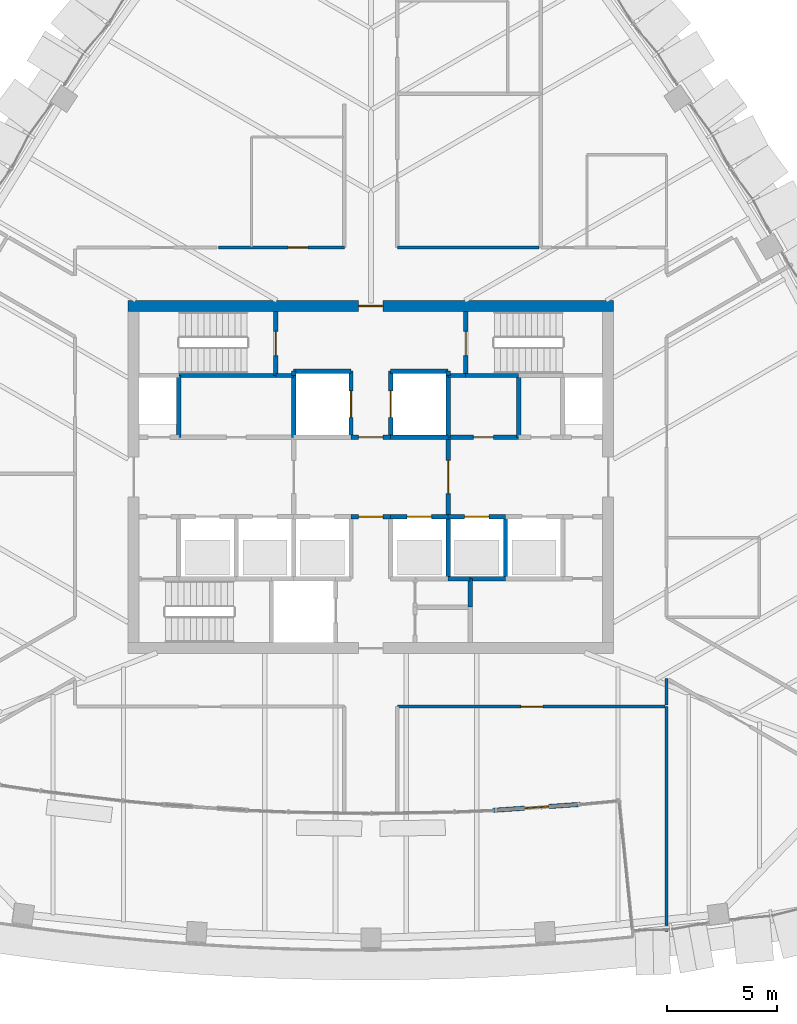
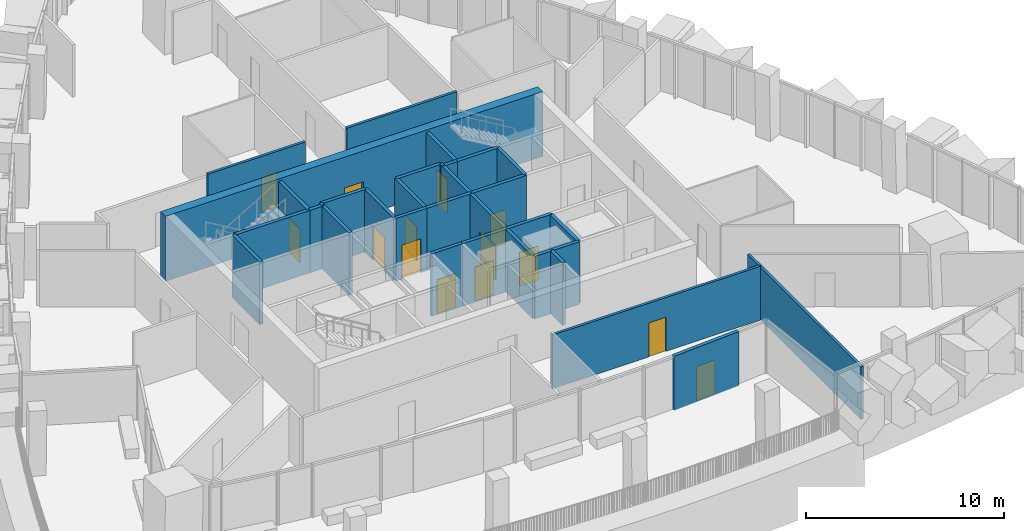
# One storey, part 13 of 22: 35 walls, 14 doors, 14 openings.
"""IFC4 building model written with IfcOpenShell, lengths in metres."""

from ifc_helpers import new_model, si_unit, direction, frame, frame_2d, origin, place, context, subcontext, project, spatial, rectangle, extrude, material, layer, layer_set, type_object, element, fill, save


model = new_model("IFC4")

# Units and contexts
model_context = context("Model", 3, precision=1e-05, world=origin(), true_north=direction((0.0, 1.0)))
body_context = subcontext(model_context, "Body", "Model", "MODEL_VIEW")
ifc_project = project(units=[si_unit("LENGTHUNIT", "METRE"), si_unit("AREAUNIT", "SQUARE_METRE"), si_unit("VOLUMEUNIT", "CUBIC_METRE"), si_unit("PLANEANGLEUNIT", "RADIAN"), si_unit("MASSUNIT", "GRAM", prefix="KILO")], contexts=[model_context])

# Site, building, storey
site_placement = place(None, origin())
site = spatial("IfcSite", under=ifc_project, at=site_placement, CompositionType="ELEMENT")
building_placement = place(site_placement, origin())
building = spatial("IfcBuilding", under=site, at=building_placement, Name="Sierra Prisma Convention Tower", CompositionType="ELEMENT")
storey_placement = place(building_placement, frame((0.0, 0.0, 227.0)))
storey = spatial("IfcBuildingStorey", under=building, at=storey_placement, Name="L50", CompositionType="ELEMENT", Elevation=227.0)

# Walls
ifc_material_1 = material(Name="Concrete C30/37", Category="concrete")
ifc_layer_1 = layer(ifc_material_1, 0.199951171875)
ifc_layer_set_1 = layer_set([ifc_layer_1], Name="Core wall RC 200 C30/37")
wall_type_1 = type_object("IfcWallType", Name="Core wall RC 200 C30/37", PredefinedType="SOLIDWALL", material=ifc_layer_set_1)
wall_1_placement = place(storey_placement, frame((-8.699951171875, 4.60009765625, 0.0), z_axis=(0.0, 0.0, 1.0), x_axis=(0.0, -1.0, 0.0)))
element("IfcWall", 1, at=wall_1_placement, inside=storey, type_object=wall_type_1, Name="Core wall L50 9", PredefinedType="SOLIDWALL", context=body_context, shape_type="SweptSolid", body=[
    extrude(rectangle(XDim=2.800048828125, YDim=0.199951171875, at=frame_2d((1.39990234375, 0.0))), origin(), (0.0, 0.0, 1.0), 3.85009765625),
])
wall_2_placement = place(storey_placement, frame((-4.300048828125, 4.60009765625, 0.0), z_axis=(0.0, 0.0, 1.0), x_axis=(-1.0, 0.0, 0.0)))
element("IfcWall", 2, at=wall_2_placement, inside=storey, type_object=wall_type_1, Name="Core wall L50 10", PredefinedType="SOLIDWALL", context=body_context, shape_type="SweptSolid", body=[
    extrude(rectangle(XDim=4.39990234375, YDim=0.199951171875, at=frame_2d((2.199951171875, 0.0))), origin(), (0.0, 0.0, 1.0), 3.85009765625),
])
wall_3_placement = place(storey_placement, frame((-3.5, 4.60009765625, 0.0), z_axis=(0.0, 0.0, 1.0), x_axis=(-1.0, 0.0, 0.0)))
element("IfcWall", 3, at=wall_3_placement, inside=storey, type_object=wall_type_1, Name="Core wall L50 16", PredefinedType="SOLIDWALL", context=body_context, shape_type="SweptSolid", body=[
    extrude(rectangle(XDim=0.800048828125, YDim=0.199951171875, at=frame_2d((0.39990234375, 0.0))), origin(), (0.0, 0.0, 1.0), 3.85009765625),
])

# Wall, opening, door
wall_4_placement = place(storey_placement, frame((-4.300048828125, 4.60009765625, 0.0), z_axis=(0.0, 0.0, 1.0), x_axis=(0.0, 1.0, 0.0)))
wall_4 = element("IfcWall", 4, at=wall_4_placement, inside=storey, type_object=wall_type_1, Name="Core wall L50 17", PredefinedType="SOLIDWALL", context=body_context, shape_type="SweptSolid", body=[
    extrude(rectangle(XDim=2.89990234375, YDim=0.199951171875, at=frame_2d((1.449951171875, 0.0))), origin(), (0.0, 0.0, 1.0), 3.85009765625),
])
opening_1_placement = place(wall_4_placement, frame((0.89990234375, 0.0, 0.0)))
opening_1 = element("IfcOpeningElement", 5, at=opening_1_placement, cuts=wall_4, Name="Opening L50-D020", PredefinedType="OPENING", context=body_context, shape_type="SweptSolid", body=[
    extrude(rectangle(XDim=1.10009765625, YDim=2.10009765625, at=frame_2d((0.550048828125, 1.050048828125))), frame((0.0, 0.10009765625, 0.0), z_axis=(0.0, -1.0, 0.0), x_axis=(1.0, 0.0, 0.0)), (0.0, 0.0, 1.0), 0.199951171875),
])
ifc_material_2 = material(Name="Steel fire door leaf", Category="steel")
door_type_1 = type_object("IfcDoorType", Name="Door 1100x2100 FD90S", OperationType="SINGLE_SWING_LEFT", PredefinedType="DOOR", material=ifc_material_2)
door_1_placement = place(opening_1_placement, origin())
door_1 = element("IfcDoor", 6, at=door_1_placement, inside=storey, type_object=door_type_1, Name="Door L50 32", OperationType="SINGLE_SWING_LEFT", OverallHeight=2.10009765625, OverallWidth=1.10009765625, PredefinedType="DOOR", context=body_context, shape_type="SweptSolid", body=[
    extrude(rectangle(XDim=1.10009765625, YDim=2.10009765625, at=frame_2d((0.550048828125, 1.050048828125))), frame((0.0, 0.02490234375, 0.0), z_axis=(0.0, -1.0, 0.0), x_axis=(1.0, 0.0, 0.0)), (0.0, 0.0, 1.0), 0.050048828125),
])
fill(opening_1, door_1)

# Wall
wall_5_placement = place(storey_placement, frame((-3.5, 1.800048828125, 0.0), z_axis=(0.0, 0.0, 1.0), x_axis=(0.0, 1.0, 0.0)))
element("IfcWall", 7, at=wall_5_placement, inside=storey, type_object=wall_type_1, Name="Core wall L50 23", PredefinedType="SOLIDWALL", context=body_context, shape_type="SweptSolid", body=[
    extrude(rectangle(XDim=2.800048828125, YDim=0.199951171875, at=frame_2d((1.39990234375, 0.0))), origin(), (0.0, 0.0, 1.0), 3.85009765625),
])

# Wall, opening, door
wall_6_placement = place(storey_placement, frame((-0.89990234375, 1.800048828125, 0.0), z_axis=(0.0, 0.0, 1.0), x_axis=(0.0, 1.0, 0.0)))
wall_6 = element("IfcWall", 8, at=wall_6_placement, inside=storey, type_object=wall_type_1, Name="Core wall L50 24", PredefinedType="SOLIDWALL", context=body_context, shape_type="SweptSolid", body=[
    extrude(rectangle(XDim=3.0, YDim=0.199951171875, at=frame_2d((1.5, 0.0))), origin(), (0.0, 0.0, 1.0), 3.85009765625),
])
opening_2_placement = place(wall_6_placement, frame((0.89990234375, 0.0, 0.0)))
opening_2 = element("IfcOpeningElement", 9, at=opening_2_placement, cuts=wall_6, Name="Opening L50-D009", PredefinedType="OPENING", context=body_context, shape_type="SweptSolid", body=[
    extrude(rectangle(XDim=1.199951171875, YDim=2.10009765625, at=frame_2d((0.60009765625, 1.050048828125))), frame((0.0, 0.10009765625, 0.0), z_axis=(0.0, -1.0, 0.0), x_axis=(1.0, 0.0, 0.0)), (0.0, 0.0, 1.0), 0.199951171875),
])
ifc_material_3 = material(Name="Steel fire door leaf", Category="steel")
door_type_2 = type_object("IfcDoorType", Name="Door 1200x2100 EI 90 sliding lift landing", OperationType="SLIDING_TO_LEFT", PredefinedType="DOOR", material=ifc_material_3)
door_2_placement = place(opening_2_placement, origin())
door_2 = element("IfcDoor", 10, at=door_2_placement, inside=storey, type_object=door_type_2, Name="Door L50 21", OperationType="SLIDING_TO_LEFT", OverallHeight=2.10009765625, OverallWidth=1.199951171875, PredefinedType="DOOR", context=body_context, shape_type="SweptSolid", body=[
    extrude(rectangle(XDim=1.199951171875, YDim=2.10009765625, at=frame_2d((0.60009765625, 1.050048828125))), frame((0.0, 0.02490234375, 0.0), z_axis=(0.0, -1.0, 0.0), x_axis=(1.0, 0.0, 0.0)), (0.0, 0.0, 1.0), 0.050048828125),
])
fill(opening_2, door_2)

# Walls
wall_7_placement = place(storey_placement, frame((-0.89990234375, 4.800048828125, 0.0), z_axis=(0.0, 0.0, 1.0), x_axis=(-1.0, 0.0, 0.0)))
element("IfcWall", 11, at=wall_7_placement, inside=storey, type_object=wall_type_1, Name="Core wall L50 25", PredefinedType="SOLIDWALL", context=body_context, shape_type="SweptSolid", body=[
    extrude(rectangle(XDim=2.60009765625, YDim=0.199951171875, at=frame_2d((1.300048828125, 0.0))), origin(), (0.0, 0.0, 1.0), 3.85009765625),
])
wall_8_placement = place(storey_placement, frame((-3.5, 4.800048828125, 0.0), z_axis=(0.0, 0.0, 1.0), x_axis=(0.0, -1.0, 0.0)))
element("IfcWall", 12, at=wall_8_placement, inside=storey, type_object=wall_type_1, Name="Core wall L50 26", PredefinedType="SOLIDWALL", context=body_context, shape_type="SweptSolid", body=[
    extrude(rectangle(XDim=0.199951171875, YDim=0.199951171875, at=frame_2d((0.10009765625, 0.0))), origin(), (0.0, 0.0, 1.0), 3.85009765625),
])

# Wall, opening, door
wall_9_placement = place(storey_placement, frame((-0.89990234375, -1.800048828125, 0.0), z_axis=(0.0, 0.0, 1.0), x_axis=(1.0, 0.0, 0.0)))
wall_9 = element("IfcWall", 13, at=wall_9_placement, inside=storey, type_object=wall_type_1, Name="Core wall L50 30", PredefinedType="SOLIDWALL", context=body_context, shape_type="SweptSolid", body=[
    extrude(rectangle(XDim=1.7998046875, YDim=0.199951171875, at=frame_2d((0.89990234375, 0.0))), origin(), (0.0, 0.0, 1.0), 3.85009765625),
])
opening_3_placement = place(wall_9_placement, frame((0.35009765625, 0.0, 0.0)))
opening_3 = element("IfcOpeningElement", 14, at=opening_3_placement, cuts=wall_9, Name="Opening L50-D016", PredefinedType="OPENING", context=body_context, shape_type="SweptSolid", body=[
    extrude(rectangle(XDim=1.10009765625, YDim=2.10009765625, at=frame_2d((0.550048828125, 1.050048828125))), frame((0.0, 0.10009765625, 0.0), z_axis=(0.0, -1.0, 0.0), x_axis=(1.0, 0.0, 0.0)), (0.0, 0.0, 1.0), 0.199951171875),
])
ifc_material_4 = material(Name="Steel fire door leaf", Category="steel")
door_type_3 = type_object("IfcDoorType", Name="Door 1100x2100 FD30S", OperationType="SINGLE_SWING_LEFT", PredefinedType="DOOR", material=ifc_material_4)
door_3_placement = place(opening_3_placement, origin())
door_3 = element("IfcDoor", 15, at=door_3_placement, inside=storey, type_object=door_type_3, Name="Door L50 28", OperationType="SINGLE_SWING_RIGHT", OverallHeight=2.10009765625, OverallWidth=1.10009765625, PredefinedType="DOOR", context=body_context, shape_type="SweptSolid", body=[
    extrude(rectangle(XDim=1.10009765625, YDim=2.10009765625, at=frame_2d((0.550048828125, 1.050048828125))), frame((0.0, 0.02490234375, 0.0), z_axis=(0.0, -1.0, 0.0), x_axis=(1.0, 0.0, 0.0)), (0.0, 0.0, 1.0), 0.050048828125),
])
fill(opening_3, door_3)

wall_10_placement = place(storey_placement, frame((0.89990234375, 1.800048828125, 0.0), z_axis=(0.0, 0.0, 1.0), x_axis=(-1.0, 0.0, 0.0)))
wall_10 = element("IfcWall", 16, at=wall_10_placement, inside=storey, type_object=wall_type_1, Name="Core wall L50 31", PredefinedType="SOLIDWALL", context=body_context, shape_type="SweptSolid", body=[
    extrude(rectangle(XDim=1.7998046875, YDim=0.199951171875, at=frame_2d((0.89990234375, 0.0))), origin(), (0.0, 0.0, 1.0), 3.85009765625),
])
opening_4_placement = place(wall_10_placement, frame((0.35009765625, 0.0, 0.0)))
opening_4 = element("IfcOpeningElement", 17, at=opening_4_placement, cuts=wall_10, Name="Opening L50-D015", PredefinedType="OPENING", context=body_context, shape_type="SweptSolid", body=[
    extrude(rectangle(XDim=1.10009765625, YDim=2.10009765625, at=frame_2d((0.550048828125, 1.050048828125))), frame((0.0, 0.10009765625, 0.0), z_axis=(0.0, -1.0, 0.0), x_axis=(1.0, 0.0, 0.0)), (0.0, 0.0, 1.0), 0.199951171875),
])
ifc_material_5 = material(Name="Steel fire door leaf", Category="steel")
door_type_4 = type_object("IfcDoorType", Name="Door 1100x2100 FD60S", OperationType="SINGLE_SWING_LEFT", PredefinedType="DOOR", material=ifc_material_5)
door_4_placement = place(opening_4_placement, origin())
door_4 = element("IfcDoor", 18, at=door_4_placement, inside=storey, type_object=door_type_4, Name="Door L50 27", OperationType="SINGLE_SWING_RIGHT", OverallHeight=2.10009765625, OverallWidth=1.10009765625, PredefinedType="DOOR", context=body_context, shape_type="SweptSolid", body=[
    extrude(rectangle(XDim=1.10009765625, YDim=2.10009765625, at=frame_2d((0.550048828125, 1.050048828125))), frame((0.0, 0.02490234375, 0.0), z_axis=(0.0, -1.0, 0.0), x_axis=(1.0, 0.0, 0.0)), (0.0, 0.0, 1.0), 0.050048828125),
])
fill(opening_4, door_4)

wall_11_placement = place(storey_placement, frame((0.89990234375, -1.800048828125, 0.0), z_axis=(0.0, 0.0, 1.0), x_axis=(1.0, 0.0, 0.0)))
wall_11 = element("IfcWall", 19, at=wall_11_placement, inside=storey, type_object=wall_type_1, Name="Core wall L50 32", PredefinedType="SOLIDWALL", context=body_context, shape_type="SweptSolid", body=[
    extrude(rectangle(XDim=2.60009765625, YDim=0.199951171875, at=frame_2d((1.300048828125, 0.0))), origin(), (0.0, 0.0, 1.0), 3.85009765625),
])
opening_5_placement = place(wall_11_placement, frame((0.75, 0.0, 0.0)))
opening_5 = element("IfcOpeningElement", 20, at=opening_5_placement, cuts=wall_11, Name="Opening L50-D006", PredefinedType="OPENING", context=body_context, shape_type="SweptSolid", body=[
    extrude(rectangle(XDim=1.10009765625, YDim=2.10009765625, at=frame_2d((0.550048828125, 1.050048828125))), frame((0.0, 0.10009765625, 0.0), z_axis=(0.0, -1.0, 0.0), x_axis=(1.0, 0.0, 0.0)), (0.0, 0.0, 1.0), 0.199951171875),
])
ifc_material_6 = material(Name="Steel fire door leaf", Category="steel")
door_type_5 = type_object("IfcDoorType", Name="Door 1100x2100 EI 90 sliding lift landing", OperationType="SLIDING_TO_LEFT", PredefinedType="DOOR", material=ifc_material_6)
door_5_placement = place(opening_5_placement, origin())
door_5 = element("IfcDoor", 21, at=door_5_placement, inside=storey, type_object=door_type_5, Name="Door L50 18", OperationType="SLIDING_TO_LEFT", OverallHeight=2.10009765625, OverallWidth=1.10009765625, PredefinedType="DOOR", context=body_context, shape_type="SweptSolid", body=[
    extrude(rectangle(XDim=1.10009765625, YDim=2.10009765625, at=frame_2d((0.550048828125, 1.050048828125))), frame((0.0, 0.02490234375, 0.0), z_axis=(0.0, -1.0, 0.0), x_axis=(1.0, 0.0, 0.0)), (0.0, 0.0, 1.0), 0.050048828125),
])
fill(opening_5, door_5)

# Walls
wall_12_placement = place(storey_placement, frame((3.5, 1.800048828125, 0.0), z_axis=(0.0, 0.0, 1.0), x_axis=(-1.0, 0.0, 0.0)))
element("IfcWall", 22, at=wall_12_placement, inside=storey, type_object=wall_type_1, Name="Core wall L50 35", PredefinedType="SOLIDWALL", context=body_context, shape_type="SweptSolid", body=[
    extrude(rectangle(XDim=2.60009765625, YDim=0.199951171875, at=frame_2d((1.300048828125, 0.0))), origin(), (0.0, 0.0, 1.0), 3.85009765625),
])
wall_13_placement = place(storey_placement, frame((3.5, 4.60009765625, 0.0), z_axis=(0.0, 0.0, 1.0), x_axis=(0.0, 1.0, 0.0)))
element("IfcWall", 23, at=wall_13_placement, inside=storey, type_object=wall_type_1, Name="Core wall L50 36", PredefinedType="SOLIDWALL", context=body_context, shape_type="SweptSolid", body=[
    extrude(rectangle(XDim=0.199951171875, YDim=0.199951171875, at=frame_2d((0.10009765625, 0.0))), origin(), (0.0, 0.0, 1.0), 3.85009765625),
])
wall_14_placement = place(storey_placement, frame((3.5, 4.800048828125, 0.0), z_axis=(0.0, 0.0, 1.0), x_axis=(-1.0, 0.0, 0.0)))
element("IfcWall", 24, at=wall_14_placement, inside=storey, type_object=wall_type_1, Name="Core wall L50 37", PredefinedType="SOLIDWALL", context=body_context, shape_type="SweptSolid", body=[
    extrude(rectangle(XDim=2.60009765625, YDim=0.199951171875, at=frame_2d((1.300048828125, 0.0))), origin(), (0.0, 0.0, 1.0), 3.85009765625),
])

# Wall, opening, door
wall_15_placement = place(storey_placement, frame((0.89990234375, 4.800048828125, 0.0), z_axis=(0.0, 0.0, 1.0), x_axis=(0.0, -1.0, 0.0)))
wall_15 = element("IfcWall", 25, at=wall_15_placement, inside=storey, type_object=wall_type_1, Name="Core wall L50 38", PredefinedType="SOLIDWALL", context=body_context, shape_type="SweptSolid", body=[
    extrude(rectangle(XDim=3.0, YDim=0.199951171875, at=frame_2d((1.5, 0.0))), origin(), (0.0, 0.0, 1.0), 3.85009765625),
])
opening_6_placement = place(wall_15_placement, frame((0.89990234375, 0.0, 0.0)))
opening_6 = element("IfcOpeningElement", 26, at=opening_6_placement, cuts=wall_15, Name="Opening L50-D010", PredefinedType="OPENING", context=body_context, shape_type="SweptSolid", body=[
    extrude(rectangle(XDim=1.199951171875, YDim=2.10009765625, at=frame_2d((0.60009765625, 1.050048828125))), frame((0.0, 0.10009765625, 0.0), z_axis=(0.0, -1.0, 0.0), x_axis=(1.0, 0.0, 0.0)), (0.0, 0.0, 1.0), 0.199951171875),
])
door_6_placement = place(opening_6_placement, origin())
door_6 = element("IfcDoor", 27, at=door_6_placement, inside=storey, type_object=door_type_2, Name="Door L50 22", OperationType="SLIDING_TO_RIGHT", OverallHeight=2.10009765625, OverallWidth=1.199951171875, PredefinedType="DOOR", context=body_context, shape_type="SweptSolid", body=[
    extrude(rectangle(XDim=1.199951171875, YDim=2.10009765625, at=frame_2d((0.60009765625, 1.050048828125))), frame((0.0, 0.02490234375, 0.0), z_axis=(0.0, -1.0, 0.0), x_axis=(1.0, 0.0, 0.0)), (0.0, 0.0, 1.0), 0.050048828125),
])
fill(opening_6, door_6)

# Walls
wall_16_placement = place(storey_placement, frame((4.5, -4.60009765625, 0.0), z_axis=(0.0, 0.0, 1.0), x_axis=(-1.0, 0.0, 0.0)))
element("IfcWall", 28, at=wall_16_placement, inside=storey, type_object=wall_type_1, Name="Core wall L50 43", PredefinedType="SOLIDWALL", context=body_context, shape_type="SweptSolid", body=[
    extrude(rectangle(XDim=1.0, YDim=0.199951171875, at=frame_2d((0.5, 0.0))), origin(), (0.0, 0.0, 1.0), 3.85009765625),
])
wall_17_placement = place(storey_placement, frame((3.5, -4.60009765625, 0.0), z_axis=(0.0, 0.0, 1.0), x_axis=(0.0, 1.0, 0.0)))
element("IfcWall", 29, at=wall_17_placement, inside=storey, type_object=wall_type_1, Name="Core wall L50 44", PredefinedType="SOLIDWALL", context=body_context, shape_type="SweptSolid", body=[
    extrude(rectangle(XDim=2.800048828125, YDim=0.199951171875, at=frame_2d((1.39990234375, 0.0))), origin(), (0.0, 0.0, 1.0), 3.85009765625),
])

# Wall, opening, door
wall_18_placement = place(storey_placement, frame((3.5, -1.800048828125, 0.0), z_axis=(0.0, 0.0, 1.0), x_axis=(1.0, 0.0, 0.0)))
wall_18 = element("IfcWall", 30, at=wall_18_placement, inside=storey, type_object=wall_type_1, Name="Core wall L50 45", PredefinedType="SOLIDWALL", context=body_context, shape_type="SweptSolid", body=[
    extrude(rectangle(XDim=2.60009765625, YDim=0.199951171875, at=frame_2d((1.300048828125, 0.0))), origin(), (0.0, 0.0, 1.0), 3.85009765625),
])
opening_7_placement = place(wall_18_placement, frame((0.75, 0.0, 0.0)))
opening_7 = element("IfcOpeningElement", 31, at=opening_7_placement, cuts=wall_18, Name="Opening L50-D007", PredefinedType="OPENING", context=body_context, shape_type="SweptSolid", body=[
    extrude(rectangle(XDim=1.10009765625, YDim=2.10009765625, at=frame_2d((0.550048828125, 1.050048828125))), frame((0.0, 0.10009765625, 0.0), z_axis=(0.0, -1.0, 0.0), x_axis=(1.0, 0.0, 0.0)), (0.0, 0.0, 1.0), 0.199951171875),
])
door_7_placement = place(opening_7_placement, origin())
door_7 = element("IfcDoor", 32, at=door_7_placement, inside=storey, type_object=door_type_5, Name="Door L50 19", OperationType="SLIDING_TO_RIGHT", OverallHeight=2.10009765625, OverallWidth=1.10009765625, PredefinedType="DOOR", context=body_context, shape_type="SweptSolid", body=[
    extrude(rectangle(XDim=1.10009765625, YDim=2.10009765625, at=frame_2d((0.550048828125, 1.050048828125))), frame((0.0, 0.02490234375, 0.0), z_axis=(0.0, -1.0, 0.0), x_axis=(1.0, 0.0, 0.0)), (0.0, 0.0, 1.0), 0.050048828125),
])
fill(opening_7, door_7)

wall_19_placement = place(storey_placement, frame((3.5, -1.800048828125, 0.0), z_axis=(0.0, 0.0, 1.0), x_axis=(0.0, 1.0, 0.0)))
wall_19 = element("IfcWall", 33, at=wall_19_placement, inside=storey, type_object=wall_type_1, Name="Core wall L50 46", PredefinedType="SOLIDWALL", context=body_context, shape_type="SweptSolid", body=[
    extrude(rectangle(XDim=3.60009765625, YDim=0.199951171875, at=frame_2d((1.800048828125, 0.0))), origin(), (0.0, 0.0, 1.0), 3.85009765625),
])
opening_8_placement = place(wall_19_placement, frame((1.050048828125, 0.0, 0.0)))
opening_8 = element("IfcOpeningElement", 34, at=opening_8_placement, cuts=wall_19, Name="Opening L50-D013", PredefinedType="OPENING", context=body_context, shape_type="SweptSolid", body=[
    extrude(rectangle(XDim=1.5, YDim=2.10009765625, at=frame_2d((0.75, 1.050048828125))), frame((0.0, 0.10009765625, 0.0), z_axis=(0.0, -1.0, 0.0), x_axis=(1.0, 0.0, 0.0)), (0.0, 0.0, 1.0), 0.199951171875),
])
ifc_material_7 = material(Name="Steel fire door leaf", Category="steel")
door_type_6 = type_object("IfcDoorType", Name="Door 1500x2100 FD30S", OperationType="DOUBLE_DOOR_SINGLE_SWING", PredefinedType="DOOR", material=ifc_material_7)
door_8_placement = place(opening_8_placement, origin())
door_8 = element("IfcDoor", 35, at=door_8_placement, inside=storey, type_object=door_type_6, Name="Door L50 25", OperationType="DOUBLE_DOOR_SINGLE_SWING", OverallHeight=2.10009765625, OverallWidth=1.5, PredefinedType="DOOR", context=body_context, shape_type="SweptSolid", body=[
    extrude(rectangle(XDim=1.5, YDim=2.10009765625, at=frame_2d((0.75, 1.050048828125))), frame((0.0, 0.02490234375, 0.0), z_axis=(0.0, -1.0, 0.0), x_axis=(1.0, 0.0, 0.0)), (0.0, 0.0, 1.0), 0.050048828125),
])
fill(opening_8, door_8)

wall_20_placement = place(storey_placement, frame((3.5, 1.800048828125, 0.0), z_axis=(0.0, 0.0, 1.0), x_axis=(1.0, 0.0, 0.0)))
wall_20 = element("IfcWall", 36, at=wall_20_placement, inside=storey, type_object=wall_type_1, Name="Core wall L50 47", PredefinedType="SOLIDWALL", context=body_context, shape_type="SweptSolid", body=[
    extrude(rectangle(XDim=3.199951171875, YDim=0.199951171875, at=frame_2d((1.60009765625, 0.0))), origin(), (0.0, 0.0, 1.0), 3.85009765625),
])
opening_9_placement = place(wall_20_placement, frame((1.14990234375, 0.0, 0.0)))
opening_9 = element("IfcOpeningElement", 37, at=opening_9_placement, cuts=wall_20, Name="Opening L50-D022", PredefinedType="OPENING", context=body_context, shape_type="SweptSolid", body=[
    extrude(rectangle(XDim=0.89990234375, YDim=2.10009765625, at=frame_2d((0.449951171875, 1.050048828125))), frame((0.0, 0.10009765625, 0.0), z_axis=(0.0, -1.0, 0.0), x_axis=(1.0, 0.0, 0.0)), (0.0, 0.0, 1.0), 0.199951171875),
])
ifc_material_8 = material(Name="Steel fire door leaf", Category="steel")
door_type_7 = type_object("IfcDoorType", Name="Door 900x2100 FD30S", OperationType="SINGLE_SWING_LEFT", PredefinedType="DOOR", material=ifc_material_8)
door_9_placement = place(opening_9_placement, origin())
door_9 = element("IfcDoor", 38, at=door_9_placement, inside=storey, type_object=door_type_7, Name="Door L50 34", OperationType="SINGLE_SWING_LEFT", OverallHeight=2.10009765625, OverallWidth=0.89990234375, PredefinedType="DOOR", context=body_context, shape_type="SweptSolid", body=[
    extrude(rectangle(XDim=0.89990234375, YDim=2.10009765625, at=frame_2d((0.449951171875, 1.050048828125))), frame((0.0, 0.02490234375, 0.0), z_axis=(0.0, -1.0, 0.0), x_axis=(1.0, 0.0, 0.0)), (0.0, 0.0, 1.0), 0.050048828125),
])
fill(opening_9, door_9)

# Walls
wall_21_placement = place(storey_placement, frame((3.5, 4.60009765625, 0.0), z_axis=(0.0, 0.0, 1.0), x_axis=(0.0, -1.0, 0.0)))
element("IfcWall", 39, at=wall_21_placement, inside=storey, type_object=wall_type_1, Name="Core wall L50 48", PredefinedType="SOLIDWALL", context=body_context, shape_type="SweptSolid", body=[
    extrude(rectangle(XDim=2.800048828125, YDim=0.199951171875, at=frame_2d((1.39990234375, 0.0))), origin(), (0.0, 0.0, 1.0), 3.85009765625),
])
wall_22_placement = place(storey_placement, frame((4.300048828125, 4.60009765625, 0.0), z_axis=(0.0, 0.0, 1.0), x_axis=(-1.0, 0.0, 0.0)))
element("IfcWall", 40, at=wall_22_placement, inside=storey, type_object=wall_type_1, Name="Core wall L50 49", PredefinedType="SOLIDWALL", context=body_context, shape_type="SweptSolid", body=[
    extrude(rectangle(XDim=0.800048828125, YDim=0.199951171875, at=frame_2d((0.39990234375, 0.0))), origin(), (0.0, 0.0, 1.0), 3.85009765625),
])
wall_23_placement = place(storey_placement, frame((6.699951171875, 4.60009765625, 0.0), z_axis=(0.0, 0.0, 1.0), x_axis=(-1.0, 0.0, 0.0)))
element("IfcWall", 41, at=wall_23_placement, inside=storey, type_object=wall_type_1, Name="Core wall L50 50", PredefinedType="SOLIDWALL", context=body_context, shape_type="SweptSolid", body=[
    extrude(rectangle(XDim=2.39990234375, YDim=0.199951171875, at=frame_2d((1.199951171875, 0.0))), origin(), (0.0, 0.0, 1.0), 3.85009765625),
])

# Wall, opening, door
wall_24_placement = place(storey_placement, frame((4.300048828125, 7.5, 0.0), z_axis=(0.0, 0.0, 1.0), x_axis=(0.0, -1.0, 0.0)))
wall_24 = element("IfcWall", 42, at=wall_24_placement, inside=storey, type_object=wall_type_1, Name="Core wall L50 51", PredefinedType="SOLIDWALL", context=body_context, shape_type="SweptSolid", body=[
    extrude(rectangle(XDim=2.89990234375, YDim=0.199951171875, at=frame_2d((1.449951171875, 0.0))), origin(), (0.0, 0.0, 1.0), 3.85009765625),
])
opening_10_placement = place(wall_24_placement, frame((0.89990234375, 0.0, 0.0)))
opening_10 = element("IfcOpeningElement", 43, at=opening_10_placement, cuts=wall_24, Name="Opening L50-D021", PredefinedType="OPENING", context=body_context, shape_type="SweptSolid", body=[
    extrude(rectangle(XDim=1.10009765625, YDim=2.10009765625, at=frame_2d((0.550048828125, 1.050048828125))), frame((0.0, 0.10009765625, 0.0), z_axis=(0.0, -1.0, 0.0), x_axis=(1.0, 0.0, 0.0)), (0.0, 0.0, 1.0), 0.199951171875),
])
door_10_placement = place(opening_10_placement, origin())
door_10 = element("IfcDoor", 44, at=door_10_placement, inside=storey, type_object=door_type_1, Name="Door L50 33", OperationType="SINGLE_SWING_LEFT", OverallHeight=2.10009765625, OverallWidth=1.10009765625, PredefinedType="DOOR", context=body_context, shape_type="SweptSolid", body=[
    extrude(rectangle(XDim=1.10009765625, YDim=2.10009765625, at=frame_2d((0.550048828125, 1.050048828125))), frame((0.0, 0.02490234375, 0.0), z_axis=(0.0, -1.0, 0.0), x_axis=(1.0, 0.0, 0.0)), (0.0, 0.0, 1.0), 0.050048828125),
])
fill(opening_10, door_10)

# Walls
wall_25_placement = place(storey_placement, frame((4.5, -4.60009765625, 0.0), z_axis=(0.0, 0.0, 1.0), x_axis=(0.0, -1.0, 0.0)))
element("IfcWall", 45, at=wall_25_placement, inside=storey, type_object=wall_type_1, Name="Core wall L50 53", PredefinedType="SOLIDWALL", context=body_context, shape_type="SweptSolid", body=[
    extrude(rectangle(XDim=1.2998046875, YDim=0.199951171875, at=frame_2d((0.64990234375, 0.0))), origin(), (0.0, 0.0, 1.0), 3.85009765625),
])
wall_26_placement = place(storey_placement, frame((6.10009765625, -4.60009765625, 0.0), z_axis=(0.0, 0.0, 1.0), x_axis=(-1.0, 0.0, 0.0)))
element("IfcWall", 46, at=wall_26_placement, inside=storey, type_object=wall_type_1, Name="Core wall L50 54", PredefinedType="SOLIDWALL", context=body_context, shape_type="SweptSolid", body=[
    extrude(rectangle(XDim=1.60009765625, YDim=0.199951171875, at=frame_2d((0.800048828125, 0.0))), origin(), (0.0, 0.0, 1.0), 3.85009765625),
])
for number, where, z_axis, x_axis, name in (
    (47, (6.10009765625, -4.60009765625, 0.0), (0.0, 0.0, 1.0), (0.0, 1.0, 0.0), "Core wall L50 56"),
    (48, (6.699951171875, 1.800048828125, 0.0), (0.0, 0.0, 1.0), (0.0, 1.0, 0.0), "Core wall L50 59"),
):
    element("IfcWall", number, at=place(storey_placement, frame(where, z_axis=z_axis, x_axis=x_axis)), inside=storey, type_object=wall_type_1, Name=name, PredefinedType="SOLIDWALL", context=body_context, shape_type="SweptSolid", body=[
        extrude(rectangle(XDim=2.800048828125, YDim=0.199951171875, at=frame_2d((1.39990234375, 0.0))), origin(), (0.0, 0.0, 1.0), 3.85009765625),
    ])

# Wall, opening, door
ifc_material_9 = material(Name="Concrete C50/60", Category="concrete")
ifc_layer_2 = layer(ifc_material_9, 0.5)
ifc_layer_set_2 = layer_set([ifc_layer_2], Name="Core wall RC 500 C50/60")
wall_type_2 = type_object("IfcWallType", Name="Core wall RC 500 C50/60", PredefinedType="SHEAR", material=ifc_layer_set_2)
wall_27_placement = place(storey_placement, frame((-11.0, 7.75, 0.0), z_axis=(0.0, 0.0, 1.0), x_axis=(1.0, 0.0, 0.0)))
wall_27 = element("IfcWall", 49, at=wall_27_placement, inside=storey, type_object=wall_type_2, Name="Core wall N L50", PredefinedType="SHEAR", context=body_context, shape_type="SweptSolid", body=[
    extrude(rectangle(XDim=22.0, YDim=0.5, at=frame_2d((11.0, 0.0))), origin(), (0.0, 0.0, 1.0), 4.0),
])
opening_11_placement = place(wall_27_placement, frame((10.449951171875, 0.0, 0.0)))
opening_11 = element("IfcOpeningElement", 50, at=opening_11_placement, cuts=wall_27, Name="Opening L50-D044", PredefinedType="OPENING", context=body_context, shape_type="SweptSolid", body=[
    extrude(rectangle(XDim=1.10009765625, YDim=2.10009765625, at=frame_2d((0.550048828125, 1.050048828125))), frame((0.0, 0.25, 0.0), z_axis=(0.0, -1.0, 0.0), x_axis=(1.0, 0.0, 0.0)), (0.0, 0.0, 1.0), 0.5),
])
door_11_placement = place(opening_11_placement, origin())
door_11 = element("IfcDoor", 51, at=door_11_placement, inside=storey, type_object=door_type_4, Name="Door L50 43", OperationType="SINGLE_SWING_LEFT", OverallHeight=2.10009765625, OverallWidth=1.10009765625, PredefinedType="DOOR", context=body_context, shape_type="SweptSolid", body=[
    extrude(rectangle(XDim=1.10009765625, YDim=2.10009765625, at=frame_2d((0.550048828125, 1.050048828125))), frame((0.0, 0.02490234375, 0.0), z_axis=(0.0, -1.0, 0.0), x_axis=(1.0, 0.0, 0.0)), (0.0, 0.0, 1.0), 0.050048828125),
])
fill(opening_11, door_11)

ifc_material_10 = material(Name="Gypsum board partition", Category="gypsum")
ifc_layer_3 = layer(ifc_material_10, 0.14990234375)
ifc_layer_set_3 = layer_set([ifc_layer_3], Name="Corridor wall 150 gypsum EI 60")
wall_type_3 = type_object("IfcWallType", Name="Corridor wall 150 gypsum EI 60", PredefinedType="PARTITIONING", material=ifc_layer_set_3)
wall_28_placement = place(storey_placement, frame((-1.199951171875, 10.39990234375, 0.0), z_axis=(0.0, 0.0, 1.0), x_axis=(-1.0, 0.0, 0.0)))
wall_28 = element("IfcWall", 52, at=wall_28_placement, inside=storey, type_object=wall_type_3, Name="Partition L50 corr 14", PredefinedType="PARTITIONING", context=body_context, shape_type="SweptSolid", body=[
    extrude(rectangle(XDim=5.699951171875, YDim=0.14990234375, at=frame_2d((2.85009765625, 0.0))), origin(), (0.0, 0.0, 1.0), 3.449951171875),
])
opening_12_placement = place(wall_28_placement, frame((1.64990234375, 0.0, 0.0)))
opening_12 = element("IfcOpeningElement", 53, at=opening_12_placement, cuts=wall_28, Name="Opening L50-D034", PredefinedType="OPENING", context=body_context, shape_type="SweptSolid", body=[
    extrude(rectangle(XDim=0.89990234375, YDim=2.10009765625, at=frame_2d((0.449951171875, 1.050048828125))), frame((0.0, 0.074951171875, 0.0), z_axis=(0.0, -1.0, 0.0), x_axis=(1.0, 0.0, 0.0)), (0.0, 0.0, 1.0), 0.14990234375),
])
door_12_placement = place(opening_12_placement, origin())
door_12 = element("IfcDoor", 54, at=door_12_placement, inside=storey, type_object=door_type_7, Name="Door L50 6", OperationType="SINGLE_SWING_LEFT", OverallHeight=2.10009765625, OverallWidth=0.89990234375, PredefinedType="DOOR", context=body_context, shape_type="SweptSolid", body=[
    extrude(rectangle(XDim=0.89990234375, YDim=2.10009765625, at=frame_2d((0.449951171875, 1.050048828125))), frame((0.0, 0.02490234375, 0.0), z_axis=(0.0, -1.0, 0.0), x_axis=(1.0, 0.0, 0.0)), (0.0, 0.0, 1.0), 0.050048828125),
])
fill(opening_12, door_12)

wall_29_placement = place(storey_placement, frame((1.199951171875, -10.39990234375, 0.0), z_axis=(0.0, 0.0, 1.0), x_axis=(1.0, 0.0, 0.0)))
wall_29 = element("IfcWall", 55, at=wall_29_placement, inside=storey, type_object=wall_type_3, Name="Partition L50 corr 17", PredefinedType="PARTITIONING", context=body_context, shape_type="SweptSolid", body=[
    extrude(rectangle(XDim=12.1201171875, YDim=0.14990234375, at=frame_2d((6.06005859375, 0.0))), origin(), (0.0, 0.0, 1.0), 3.31689453125),
])
opening_13_placement = place(wall_29_placement, frame((5.60009765625, 0.0, 0.0)))
opening_13 = element("IfcOpeningElement", 56, at=opening_13_placement, cuts=wall_29, Name="Opening L50-D039", PredefinedType="OPENING", context=body_context, shape_type="SweptSolid", body=[
    extrude(rectangle(XDim=1.0, YDim=2.10009765625, at=frame_2d((0.5, 1.050048828125))), frame((0.0, 0.074951171875, 0.0), z_axis=(0.0, -1.0, 0.0), x_axis=(1.0, 0.0, 0.0)), (0.0, 0.0, 1.0), 0.14990234375),
])
ifc_material_11 = material(Name="Steel fire door leaf", Category="steel")
door_type_8 = type_object("IfcDoorType", Name="Door 1000x2100 FD30S", OperationType="SINGLE_SWING_LEFT", PredefinedType="DOOR", material=ifc_material_11)
door_13_placement = place(opening_13_placement, origin())
door_13 = element("IfcDoor", 57, at=door_13_placement, inside=storey, type_object=door_type_8, Name="Door L50 11", OperationType="SINGLE_SWING_RIGHT", OverallHeight=2.10009765625, OverallWidth=1.0, PredefinedType="DOOR", context=body_context, shape_type="SweptSolid", body=[
    extrude(rectangle(XDim=1.0, YDim=2.10009765625, at=frame_2d((0.5, 1.050048828125))), frame((0.0, 0.02490234375, 0.0), z_axis=(0.0, -1.0, 0.0), x_axis=(1.0, 0.0, 0.0)), (0.0, 0.0, 1.0), 0.050048828125),
])
fill(opening_13, door_13)

# Walls
wall_30_placement = place(storey_placement, frame((7.6201171875, 10.39990234375, 0.0), z_axis=(0.0, 0.0, 1.0), x_axis=(-1.0, 0.0, 0.0)))
element("IfcWall", 58, at=wall_30_placement, inside=storey, type_object=wall_type_3, Name="Partition L50 corr 18", PredefinedType="PARTITIONING", context=body_context, shape_type="SweptSolid", body=[
    extrude(rectangle(XDim=6.420166015625, YDim=0.14990234375, at=frame_2d((3.2099609375, 0.0))), origin(), (0.0, 0.0, 1.0), 3.449951171875),
])
wall_31_placement = place(storey_placement, frame((13.39990234375, -10.320068359375, 0.0), z_axis=(0.0, 0.0, 1.0), x_axis=(0.0, 1.0, 0.0)))
element("IfcWall", 59, at=wall_31_placement, inside=storey, type_object=wall_type_3, Name="Partition L50 corr 21", PredefinedType="PARTITIONING", context=body_context, shape_type="SweptSolid", body=[
    extrude(rectangle(XDim=1.197998046875, YDim=0.14990234375, at=frame_2d((0.59912109375, 0.0))), origin(), (0.0, 0.0, 1.0), 3.23291015625),
])
ifc_material_12 = material(Name="Gypsum board partition", Category="gypsum")
ifc_layer_4 = layer(ifc_material_12, 0.14990234375)
ifc_layer_set_4 = layer_set([ifc_layer_4], Name="Party wall 150 gypsum")
wall_type_4 = type_object("IfcWallType", Name="Party wall 150 gypsum", PredefinedType="PARTITIONING", material=ifc_layer_set_4)
wall_32_placement = place(storey_placement, frame((13.39990234375, -10.39990234375, 0.0), z_axis=(0.0, 0.0, 1.0), x_axis=(0.0, -1.0, 0.0)))
element("IfcWall", 60, at=wall_32_placement, inside=storey, type_object=wall_type_4, Name="Partition L50 party 8", PredefinedType="PARTITIONING", context=body_context, shape_type="SweptSolid", body=[
    extrude(rectangle(XDim=10.19287109375, YDim=0.14990234375, at=frame_2d((5.096435546875, 0.0))), origin(), (0.0, 0.0, 1.0), 3.23388671875),
])

# Wall, opening, door
ifc_material_13 = material(Name="Precast concrete C40/50", Category="concrete")
ifc_layer_5 = layer(ifc_material_13, 0.199951171875)
ifc_layer_set_5 = layer_set([ifc_layer_5], Name="Terrace door pier")
wall_type_5 = type_object("IfcWallType", Name="Terrace door pier", PredefinedType="SOLIDWALL", material=ifc_layer_set_5)
wall_33_placement = place(storey_placement, frame((5.54833984375, -15.1005859375, 0.0), z_axis=(0.0, 0.0, 1.0), x_axis=(0.997678624497, 0.068098180754, 0.0)))
wall_33 = element("IfcWall", 61, at=wall_33_placement, inside=storey, type_object=wall_type_5, Name="Terrace door bay L50.37", PredefinedType="SOLIDWALL", context=body_context, shape_type="SweptSolid", body=[
    extrude(rectangle(XDim=3.93994140625, YDim=0.199951171875, at=frame_2d((1.969970703125, 0.0))), origin(), (0.0, 0.0, 1.0), 3.340087890625),
])
opening_14_placement = place(wall_33_placement, frame((1.420166015625, 0.0, 0.0)))
opening_14 = element("IfcOpeningElement", 62, at=opening_14_placement, cuts=wall_33, Name="Opening L50-D002", PredefinedType="OPENING", context=body_context, shape_type="SweptSolid", body=[
    extrude(rectangle(XDim=1.10009765625, YDim=2.10009765625, at=frame_2d((0.550048828125, 1.050048828125))), frame((0.0, 0.10009765625, 0.0), z_axis=(0.0, -1.0, 0.0), x_axis=(1.0, 0.0, 0.0)), (0.0, 0.0, 1.0), 0.199951171875),
])
ifc_material_14 = material(Name="Bronze anodised aluminium and glass", Category="aluminium")
door_type_9 = type_object("IfcDoorType", Name="Terrace door 1100 x 2100", OperationType="SINGLE_SWING_LEFT", PredefinedType="DOOR", material=ifc_material_14)
door_14_placement = place(opening_14_placement, origin())
door_14 = element("IfcDoor", 63, at=door_14_placement, inside=storey, type_object=door_type_9, Name="Terrace door L50.37", OperationType="SINGLE_SWING_LEFT", OverallHeight=2.10009765625, OverallWidth=1.10009765625, PredefinedType="DOOR", context=body_context, shape_type="SweptSolid", body=[
    extrude(rectangle(XDim=1.10009765625, YDim=2.10009765625, at=frame_2d((0.550048828125, 1.050048828125))), frame((0.0, 0.02490234375, 0.0), z_axis=(0.0, -1.0, 0.0), x_axis=(1.0, 0.0, 0.0)), (0.0, 0.0, 1.0), 0.050048828125),
])
fill(opening_14, door_14)

save(model, "model.ifc")
